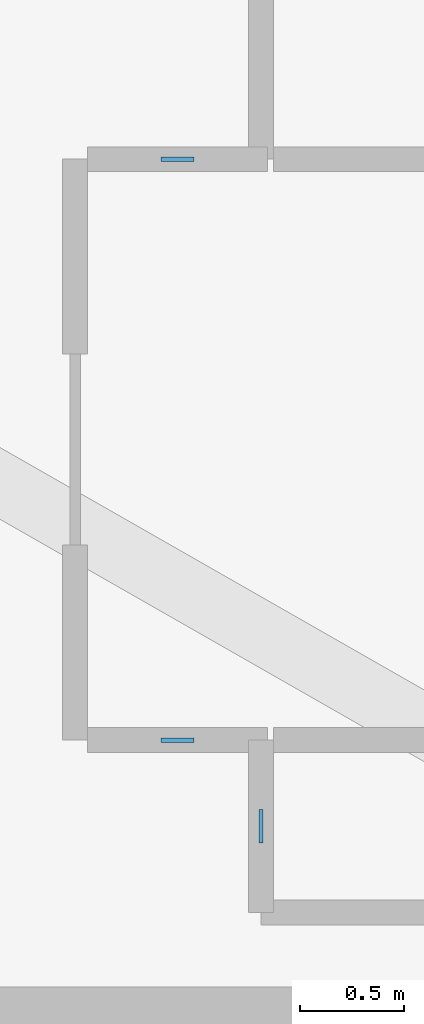
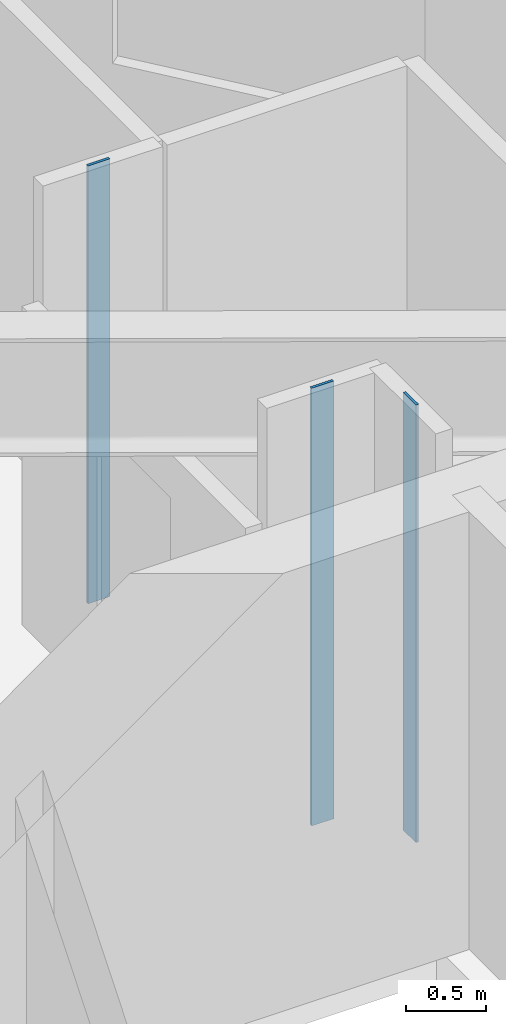
# One storey, part 6 of 13: 3 plates.
"""IFC4 building model written with IfcOpenShell, lengths in metres."""

import ifcopenshell
import ifcopenshell.guid

model = None  # the IFC model being written
_history = None  # IfcOwnerHistory: only IFC2X3 demands one
_inside = {}  # id of a spatial element -> (the spatial element, [elements in it])
_under = {}  # id of a project, library or spatial element -> (it, [spatial elements below it])
_declared = {}  # id of a project -> (the project, [libraries it declares])
_typed = {}  # id of a type object -> (the type object, [elements of that type])
_made_of = {}  # id of a material, layer set ... -> (it, [elements and type objects made of it])


def new_model(schema):
    """Start an empty IFC model of exactly this schema.

    Asked for "IFC4X3", IfcOpenShell would pick the latest addendum, in which some entities
    have other attributes; the version numbers below select the first issue.
    IFC2X3 requires an IfcOwnerHistory on every rooted entity: one is made here for all.
    """
    global model, _history
    if schema == "IFC4X3":
        model = ifcopenshell.file(schema_version=(4, 3, 0, 0))
    else:
        model = ifcopenshell.file(schema=schema)
    _inside.clear()
    _under.clear()
    _declared.clear()
    _typed.clear()
    _made_of.clear()
    _history = None
    if model.schema == "IFC2X3":
        org = make("IfcOrganization", Name="unknown")
        user = make(
            "IfcPersonAndOrganization",
            ThePerson=make("IfcPerson", FamilyName="unknown"),
            TheOrganization=org,
        )
        app = make(
            "IfcApplication",
            ApplicationDeveloper=org,
            Version="unknown",
            ApplicationFullName="unknown",
            ApplicationIdentifier="unknown",
        )
        _history = make(
            "IfcOwnerHistory",
            OwningUser=user,
            OwningApplication=app,
            ChangeAction="ADDED",
            CreationDate=0,
        )
    return model


def make(cls, **values):
    """One entity of the class cls with the attributes given. An attribute that is None is left unset."""
    return model.create_entity(
        cls, **{name: value for name, value in values.items() if value is not None}
    )


def rooted(cls, **values):
    """An entity with a GlobalId (a new one), such as an element, a storey or a relation."""
    return make(cls, GlobalId=ifcopenshell.guid.new(), OwnerHistory=_history, **values)


def si_unit(unit_type, name, prefix=None):
    """IfcSIUnit, for example si_unit("LENGTHUNIT", "METRE", prefix="MILLI")."""
    return make("IfcSIUnit", UnitType=unit_type, Prefix=prefix, Name=name)


def assignment(units):
    """IfcUnitAssignment: the units of a project."""
    return None if units is None else make("IfcUnitAssignment", Units=units)


def point(xyz):
    """IfcCartesianPoint."""
    return None if xyz is None else make("IfcCartesianPoint", Coordinates=xyz)


def direction(xyz):
    """IfcDirection."""
    return None if xyz is None else make("IfcDirection", DirectionRatios=xyz)


def frame(location, z_axis=None, x_axis=None):
    """IfcAxis2Placement3D, a coordinate frame: its origin and axes. An axis left out is left unset."""
    return make(
        "IfcAxis2Placement3D",
        Location=point(location),
        Axis=direction(z_axis),
        RefDirection=direction(x_axis),
    )


def frame_2d(location, x_axis=None):
    """IfcAxis2Placement2D, a coordinate frame in the plane: its origin and x axis."""
    return make(
        "IfcAxis2Placement2D", Location=point(location), RefDirection=direction(x_axis)
    )


def origin():
    """The frame at (0, 0, 0) with its axes left unset."""
    return frame((0.0, 0.0, 0.0))


def origin_2d():
    """The frame at (0, 0) in the plane with its x axis left unset."""
    return frame_2d((0.0, 0.0))


def place(relative_to, where):
    """IfcLocalPlacement: puts the frame where relative to a parent placement (None: the world)."""
    return make(
        "IfcLocalPlacement", PlacementRelTo=relative_to, RelativePlacement=where
    )


def context(
    kind, dimensions, precision=None, world=None, true_north=None, identifier=None
):
    """IfcGeometricRepresentationContext, for example the 3D "Model" context."""
    return make(
        "IfcGeometricRepresentationContext",
        ContextIdentifier=identifier,
        ContextType=kind,
        CoordinateSpaceDimension=dimensions,
        Precision=precision,
        WorldCoordinateSystem=world,
        TrueNorth=true_north,
    )


def subcontext(parent, identifier, kind, view, scale=None):
    """IfcGeometricRepresentationSubContext, for example "Body" below "Model"."""
    return make(
        "IfcGeometricRepresentationSubContext",
        ContextIdentifier=identifier,
        ContextType=kind,
        ParentContext=parent,
        TargetScale=scale,
        TargetView=view,
    )


def project(units=None, contexts=None):
    """IfcProject with its units and contexts."""
    return rooted(
        "IfcProject",
        Name="project",
        RepresentationContexts=contexts,
        UnitsInContext=assignment(units),
    )


def spatial(cls, under=None, at=None, **own):
    """A site, building, storey or space (cls), placed at a placement, below another one or the project."""
    s = rooted(cls, ObjectPlacement=at, **own)
    if under is not None:
        _under.setdefault(under.id(), (under, []))[1].append(s)
    return s


def profile(cls, at=None, kind="AREA", **sizes):
    """A parametric profile (cls). Its sizes go by their IFC names, for example OverallWidth=200.0."""
    return make(cls, ProfileType=kind, Position=at, **sizes)


def rectangle(**sizes):
    """IfcRectangleProfileDef."""
    return profile("IfcRectangleProfileDef", **sizes)


def extrude(swept, where, along, depth):
    """IfcExtrudedAreaSolid: the profile swept, set in the frame where, extruded along a direction by depth."""
    return make(
        "IfcExtrudedAreaSolid",
        SweptArea=swept,
        Position=where,
        ExtrudedDirection=direction(along),
        Depth=depth,
    )


def shape(context_of_items, identifier, shape_type, items):
    """IfcShapeRepresentation: the items that make up one representation, for example the "Body"."""
    return make(
        "IfcShapeRepresentation",
        ContextOfItems=context_of_items,
        RepresentationIdentifier=identifier,
        RepresentationType=shape_type,
        Items=items,
    )


def material(Name=None, Category=None):
    """IfcMaterial."""
    return make("IfcMaterial", Name=Name, Category=Category)


def layer(
    of_material, thickness, ventilated=None, Name=None, Category=None, Priority=None
):
    """IfcMaterialLayer: one layer of a wall or slab, of a material (None: an air gap)."""
    return make(
        "IfcMaterialLayer",
        Material=of_material,
        LayerThickness=thickness,
        IsVentilated=ventilated,
        Name=Name,
        Category=Category,
        Priority=Priority,
    )


def layer_set(layers, Name=None):
    """IfcMaterialLayerSet."""
    return make("IfcMaterialLayerSet", MaterialLayers=layers, LayerSetName=Name)


def made_of(thing, what):
    """Note that an element or type object is made of a material, layer set ...; save() writes the relation."""
    if what is not None:
        _made_of.setdefault(what.id(), (what, []))[1].append(thing)
    return thing


def type_object(cls, material=None, **own):
    """A type object (cls), such as IfcWallType, which elements share."""
    return made_of(rooted(cls, **own), material)


def element(
    cls,
    number,
    at=None,
    inside=None,
    cuts=None,
    type_object=None,
    material=None,
    context=None,
    identifier="Body",
    shape_type=None,
    held_by="IfcProductDefinitionShape",
    body=None,
    shapes=None,
    **own,
):
    """One element of the class cls, such as IfcWall. Its Tag is "e" and its number.

    at: its placement. inside: the storey or other place that contains it. cuts: it is an
    opening in that element (IfcRelVoidsElement). A single representation is given by context,
    identifier, shape_type and body (its items); several are given by shapes. held_by: the class
    of the entity that holds the representations. save() writes the other relations.
    """
    e = rooted(cls, Tag="e%d" % number, ObjectPlacement=at, **own)
    if body is not None:
        shapes = [shape(context, identifier, shape_type, body)]
    if shapes is not None:
        e.Representation = make(held_by, Representations=shapes)
    if inside is not None:
        _inside.setdefault(inside.id(), (inside, []))[1].append(e)
    if cuts is not None:
        rooted(
            "IfcRelVoidsElement", RelatingBuildingElement=cuts, RelatedOpeningElement=e
        )
    if type_object is not None:
        _typed.setdefault(type_object.id(), (type_object, []))[1].append(e)
    return made_of(e, material)


def aggregate(whole, parts):
    """IfcRelAggregates: a whole, such as a stair, and the parts it consists of."""
    return rooted("IfcRelAggregates", RelatingObject=whole, RelatedObjects=parts)


def save(model, path):
    """Write the relations noted so far, then the file.

    IfcRelAggregates (storeys below a building ...), IfcRelContainedInSpatialStructure (elements
    in a storey), IfcRelDefinesByType, IfcRelAssociatesMaterial and IfcRelDeclares: one each for
    every whole, place, type object, material and project.
    """
    for whole, parts in _under.values():
        aggregate(whole, parts)
    for where, things in _inside.values():
        rooted(
            "IfcRelContainedInSpatialStructure",
            RelatedElements=things,
            RelatingStructure=where,
        )
    for kind, things in _typed.values():
        rooted("IfcRelDefinesByType", RelatedObjects=things, RelatingType=kind)
    for what, things in _made_of.values():
        rooted("IfcRelAssociatesMaterial", RelatedObjects=things, RelatingMaterial=what)
    for by, libraries in _declared.values():
        rooted("IfcRelDeclares", RelatingContext=by, RelatedDefinitions=libraries)
    model.write(path)


model = new_model("IFC4")

# Units and contexts
model_context = context("Model", 3, precision=1e-05, world=origin(), true_north=direction((0.0, 1.0)))
body_context = subcontext(model_context, "Body", "Model", "MODEL_VIEW")
ifc_project = project(units=[si_unit("LENGTHUNIT", "METRE"), si_unit("AREAUNIT", "SQUARE_METRE"), si_unit("VOLUMEUNIT", "CUBIC_METRE"), si_unit("PLANEANGLEUNIT", "RADIAN"), si_unit("MASSUNIT", "GRAM", prefix="KILO")], contexts=[model_context])

# Site, building, storey
site_placement = place(None, origin())
site = spatial("IfcSite", under=ifc_project, at=site_placement, CompositionType="ELEMENT")
building_placement = place(site_placement, origin())
building = spatial("IfcBuilding", under=site, at=building_placement, Name="Miruveldt Soraemaru", CompositionType="ELEMENT")
storey_placement = place(building_placement, frame((0.0, 0.0, 198.0)))
storey = spatial("IfcBuildingStorey", under=building, at=storey_placement, Name="L54", CompositionType="ELEMENT", Elevation=198.0)

# Plates
ifc_material = material(Name="Anodised aluminium EN AW-6063 T6", Category="aluminium")
ifc_layer = layer(ifc_material, 0.02001953125, Name="Anodised aluminium EN AW-6063 T6", Category="aluminium")
ifc_layer_set = layer_set([ifc_layer], Name="Anodised aluminium EN AW-6063 T6")
plate_type = type_object("IfcPlateType", Name="PLT-PART-TRIM", PredefinedType="SHEET", material=ifc_layer_set)
for number, where, z_axis, x_axis, name in (
    (1, (49.199951171875, 56.679931640625, 0.0), (0.0, 0.0, 1.0), (-1.0, 0.0, 0.0), "L54 Partition Step Corner Trim Plate 016"),
    (2, (49.199951171875, 53.8798828125, 0.0), (0.0, 0.0, 1.0), (1.0, 0.0, 0.0), "L54 Partition Step Corner Trim Plate 018"),
    (3, (49.60302734375, 53.465087890625, 0.0), (0.0, 0.0, 1.0), (0.0, 1.0, 0.0), "L54 Partition Step Corner Trim Plate 019"),
):
    element("IfcPlate", number, at=place(storey_placement, frame(where, z_axis=z_axis, x_axis=x_axis)), inside=storey, type_object=plate_type, Name=name, PredefinedType="SHEET", context=body_context, shape_type="SweptSolid", body=[
        extrude(rectangle(XDim=0.159912109375, YDim=0.02001953125, at=origin_2d()), origin(), (0.0, 0.0, 1.0), 3.344970703125),
    ])

save(model, "model.ifc")
